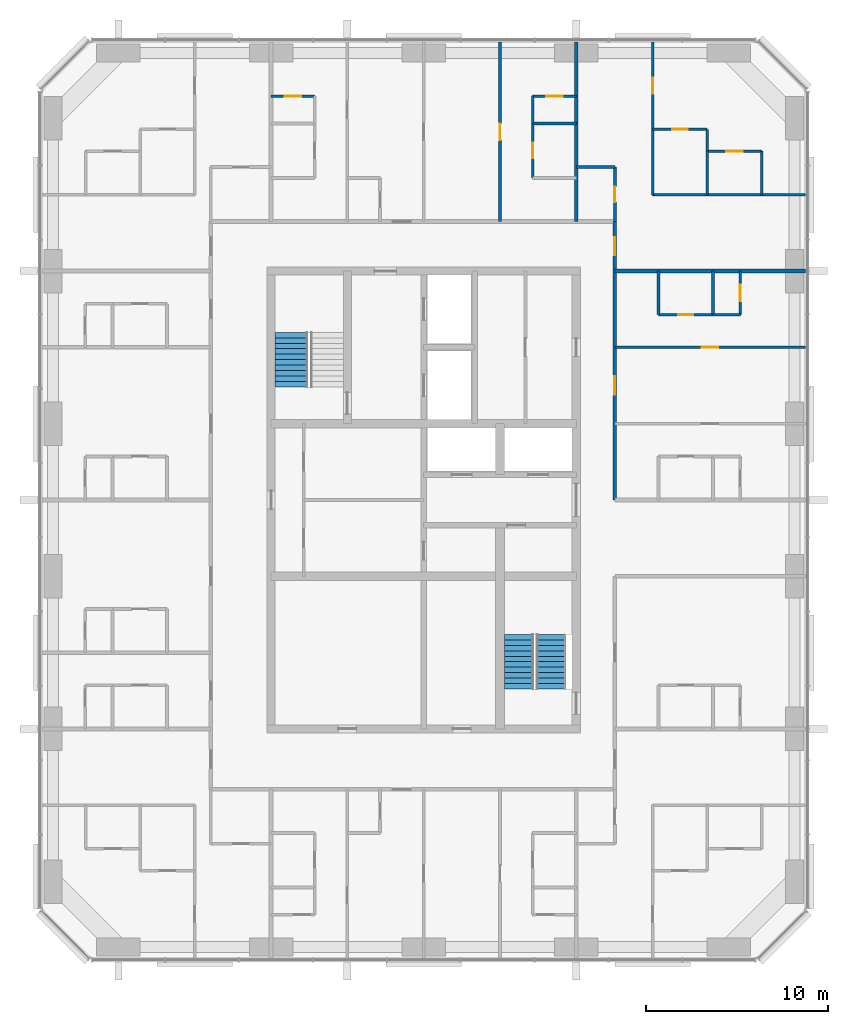
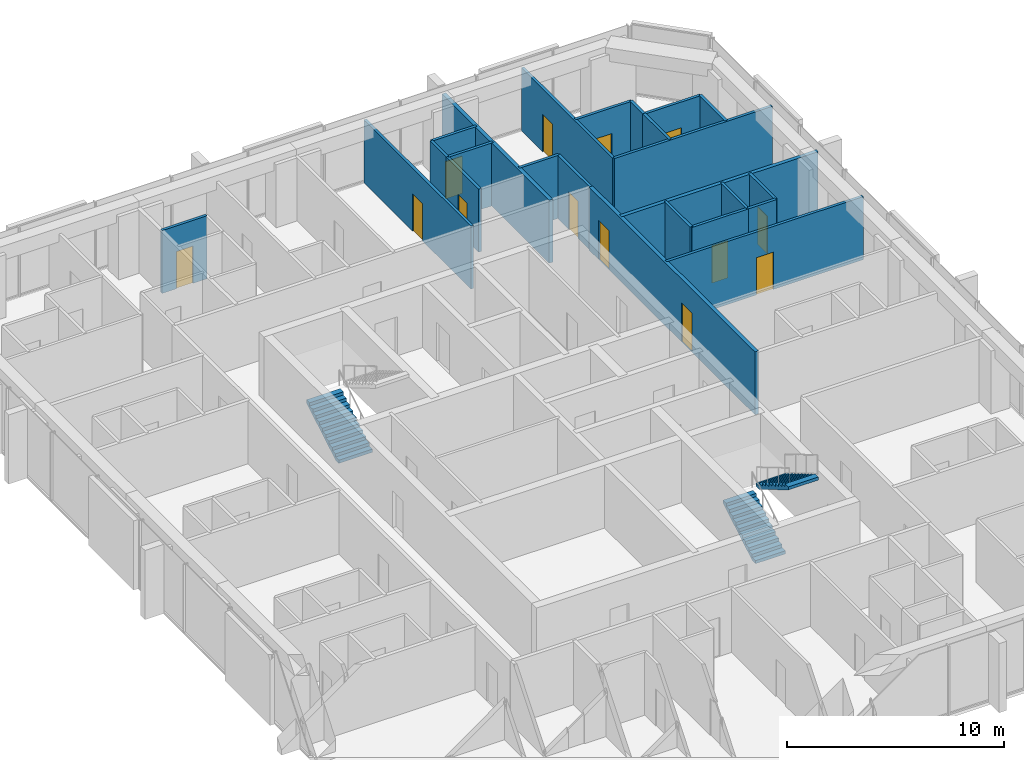
# One storey, part 11 of 13: 24 walls, 13 doors, 3 stair flights, 13 openings, 2 elements without a shape of their own.
"""IFC4 building model written with IfcOpenShell, lengths in metres."""

from ifc_helpers import new_model, si_unit, direction, frame, frame_2d, origin, place, context, subcontext, project, spatial, polyline, rectangle, outline, extrude, material, layer, layer_set, type_object, element, fill, aggregate, save


model = new_model("IFC4")

# Units and contexts
model_context = context("Model", 3, precision=1e-05, world=origin(), true_north=direction((0.0, 1.0)))
body_context = subcontext(model_context, "Body", "Model", "MODEL_VIEW")
ifc_project = project(units=[si_unit("LENGTHUNIT", "METRE"), si_unit("AREAUNIT", "SQUARE_METRE"), si_unit("VOLUMEUNIT", "CUBIC_METRE"), si_unit("PLANEANGLEUNIT", "RADIAN"), si_unit("MASSUNIT", "GRAM", prefix="KILO")], contexts=[model_context])

# Site, building, storey
site_placement = place(None, origin())
site = spatial("IfcSite", under=ifc_project, at=site_placement, CompositionType="ELEMENT")
building_placement = place(site_placement, origin())
building = spatial("IfcBuilding", under=site, at=building_placement, Name="Dunama Terrace Hotel", CompositionType="ELEMENT")
storey_placement = place(building_placement, frame((0.0, 0.0, 280.199951171875)))
storey = spatial("IfcBuildingStorey", under=building, at=storey_placement, Name="L72", CompositionType="ELEMENT", Elevation=280.199951171875)

# Wall, opening, door
ifc_material_1 = material(Name="Gypsum board partition", Category="masonry")
ifc_layer_1 = layer(ifc_material_1, 0.14990234375)
ifc_layer_set_1 = layer_set([ifc_layer_1], Name="Bathroom partition 150")
wall_type_1 = type_object("IfcWallType", Name="Bathroom partition 150", PredefinedType="PARTITIONING", material=ifc_layer_set_1)
wall_1_placement = place(storey_placement, frame((39.60009765625, 47.125, 0.0), z_axis=(0.0, 0.0, 1.0), x_axis=(0.0, 1.0, 0.0)))
wall_1 = element("IfcWall", 1, at=wall_1_placement, inside=storey, type_object=wall_type_1, Name="Bathroom partition 150 L72", PredefinedType="PARTITIONING", context=body_context, shape_type="SweptSolid", body=[
    extrude(rectangle(XDim=3.0, YDim=0.14990234375, at=frame_2d((1.5, 0.0))), origin(), (0.0, 0.0, 1.0), 3.550048828125),
])
opening_1_placement = place(wall_1_placement, frame((1.074951171875, 0.0, 0.0)))
opening_1 = element("IfcOpeningElement", 2, at=opening_1_placement, cuts=wall_1, Name="Opening L71-72-033", PredefinedType="OPENING", context=body_context, shape_type="SweptSolid", body=[
    extrude(rectangle(XDim=0.85009765625, YDim=2.10009765625, at=frame_2d((0.425048828125, 1.050048828125))), frame((0.0, 0.0849609375, 0.0), z_axis=(0.0, -1.0, 0.0), x_axis=(1.0, 0.0, 0.0)), (0.0, 0.0, 1.0), 0.169921875),
])
ifc_material_2 = material(Name="Timber door with steel frame", Category="steel")
door_type_1 = type_object("IfcDoorType", Name="Bathroom door 850", OperationType="SINGLE_SWING_LEFT", PredefinedType="DOOR", material=ifc_material_2)
door_1_placement = place(opening_1_placement, frame((0.85009765625, 0.0, 0.0), z_axis=(0.0, 0.0, 1.0), x_axis=(-1.0, 0.0, 0.0)))
door_1 = element("IfcDoor", 3, at=door_1_placement, inside=storey, type_object=door_type_1, Name="Door to en-suite bathroom L71-72-033, type D2", OperationType="SINGLE_SWING_LEFT", OverallHeight=2.10009765625, OverallWidth=0.85009765625, PredefinedType="DOOR", context=body_context, shape_type="SweptSolid", body=[
    extrude(rectangle(XDim=0.85009765625, YDim=2.10009765625, at=frame_2d((0.425048828125, 1.050048828125))), frame((0.0, 0.025146484375, 0.0), z_axis=(0.0, -1.0, 0.0), x_axis=(1.0, 0.0, 0.0)), (0.0, 0.0, 1.0), 0.050048828125),
])
fill(opening_1, door_1)

wall_2_placement = place(storey_placement, frame((44.125, 44.72509765625, 0.0), z_axis=(0.0, 0.0, 1.0), x_axis=(0.0, 1.0, 0.0)))
wall_2 = element("IfcWall", 4, at=wall_2_placement, inside=storey, type_object=wall_type_1, Name="Bathroom partition 150 L72", PredefinedType="PARTITIONING", context=body_context, shape_type="SweptSolid", body=[
    extrude(rectangle(XDim=3.0, YDim=0.14990234375, at=frame_2d((1.5, 0.0))), origin(), (0.0, 0.0, 1.0), 3.550048828125),
])
opening_2_placement = place(wall_2_placement, frame((1.074951171875, 0.0, 0.0)))
opening_2 = element("IfcOpeningElement", 5, at=opening_2_placement, cuts=wall_2, Name="Opening L71-72-058", PredefinedType="OPENING", context=body_context, shape_type="SweptSolid", body=[
    extrude(rectangle(XDim=0.85009765625, YDim=2.10009765625, at=frame_2d((0.425048828125, 1.050048828125))), frame((0.0, 0.0849609375, 0.0), z_axis=(0.0, -1.0, 0.0), x_axis=(1.0, 0.0, 0.0)), (0.0, 0.0, 1.0), 0.169921875),
])
door_2_placement = place(opening_2_placement, origin())
door_2 = element("IfcDoor", 6, at=door_2_placement, inside=storey, type_object=door_type_1, Name="Door to powder room L71-72-058, type D2", OperationType="SINGLE_SWING_LEFT", OverallHeight=2.10009765625, OverallWidth=0.85009765625, PredefinedType="DOOR", context=body_context, shape_type="SweptSolid", body=[
    extrude(rectangle(XDim=0.85009765625, YDim=2.10009765625, at=frame_2d((0.425048828125, 1.050048828125))), frame((0.0, 0.02490234375, 0.0), z_axis=(0.0, -1.0, 0.0), x_axis=(1.0, 0.0, 0.0)), (0.0, 0.0, 1.0), 0.050048828125),
])
fill(opening_2, door_2)

# Walls
wall_3_placement = place(storey_placement, frame((46.52490234375, 39.60009765625, 0.0), z_axis=(0.0, 0.0, 1.0), x_axis=(0.0, 1.0, 0.0)))
element("IfcWall", 7, at=wall_3_placement, inside=storey, type_object=wall_type_1, Name="Bathroom partition 150 L72", PredefinedType="PARTITIONING", context=body_context, shape_type="SweptSolid", body=[
    extrude(rectangle(XDim=2.39990234375, YDim=0.14990234375, at=frame_2d((1.199951171875, 0.0))), origin(), (0.0, 0.0, 1.0), 3.550048828125),
])
wall_4_placement = place(storey_placement, frame((49.199951171875, 48.60009765625, 0.0), z_axis=(0.0, 0.0, 1.0), x_axis=(0.0, 1.0, 0.0)))
element("IfcWall", 8, at=wall_4_placement, inside=storey, type_object=wall_type_1, Name="Bathroom partition 150 L72", PredefinedType="PARTITIONING", context=body_context, shape_type="SweptSolid", body=[
    extrude(rectangle(XDim=1.199951171875, YDim=0.14990234375, at=frame_2d((0.60009765625, 0.0))), origin(), (0.0, 0.0, 1.0), 3.550048828125),
])

# Wall, opening, door
wall_5_placement = place(storey_placement, frame((46.52490234375, 39.60009765625, 0.0), z_axis=(0.0, 0.0, 1.0), x_axis=(1.0, 0.0, 0.0)))
wall_5 = element("IfcWall", 9, at=wall_5_placement, inside=storey, type_object=wall_type_1, Name="Bathroom partition 150 L72", PredefinedType="PARTITIONING", context=body_context, shape_type="SweptSolid", body=[
    extrude(rectangle(XDim=3.0, YDim=0.14990234375, at=frame_2d((1.5, 0.0))), origin(), (0.0, 0.0, 1.0), 3.550048828125),
])
opening_3_placement = place(wall_5_placement, frame((1.074951171875, 0.0, 0.0)))
opening_3 = element("IfcOpeningElement", 10, at=opening_3_placement, cuts=wall_5, Name="Opening L71-72-024", PredefinedType="OPENING", context=body_context, shape_type="SweptSolid", body=[
    extrude(rectangle(XDim=0.85009765625, YDim=2.10009765625, at=frame_2d((0.425048828125, 1.050048828125))), frame((0.0, 0.0849609375, 0.0), z_axis=(0.0, -1.0, 0.0), x_axis=(1.0, 0.0, 0.0)), (0.0, 0.0, 1.0), 0.169921875),
])
door_3_placement = place(opening_3_placement, origin())
door_3 = element("IfcDoor", 11, at=door_3_placement, inside=storey, type_object=door_type_1, Name="Door to en-suite bathroom L71-72-024, type D2", OperationType="SINGLE_SWING_RIGHT", OverallHeight=2.10009765625, OverallWidth=0.85009765625, PredefinedType="DOOR", context=body_context, shape_type="SweptSolid", body=[
    extrude(rectangle(XDim=0.85009765625, YDim=2.10009765625, at=frame_2d((0.425048828125, 1.050048828125))), frame((0.0, 0.02490234375, 0.0), z_axis=(0.0, -1.0, 0.0), x_axis=(1.0, 0.0, 0.0)), (0.0, 0.0, 1.0), 0.050048828125),
])
fill(opening_3, door_3)

# Wall
wall_6_placement = place(storey_placement, frame((42.0, 47.72509765625, 0.0), z_axis=(0.0, 0.0, 1.0), x_axis=(1.0, 0.0, 0.0)))
element("IfcWall", 12, at=wall_6_placement, inside=storey, type_object=wall_type_1, Name="Bathroom partition 150 L72", PredefinedType="PARTITIONING", context=body_context, shape_type="SweptSolid", body=[
    extrude(rectangle(XDim=2.125, YDim=0.14990234375, at=frame_2d((1.0625, 0.0))), origin(), (0.0, 0.0, 1.0), 3.550048828125),
])

# Wall, opening, door
wall_7_placement = place(storey_placement, frame((46.199951171875, 49.800048828125, 0.0), z_axis=(0.0, 0.0, 1.0), x_axis=(1.0, 0.0, 0.0)))
wall_7 = element("IfcWall", 13, at=wall_7_placement, inside=storey, type_object=wall_type_1, Name="Bathroom partition 150 L72", PredefinedType="PARTITIONING", context=body_context, shape_type="SweptSolid", body=[
    extrude(rectangle(XDim=3.0, YDim=0.14990234375, at=frame_2d((1.5, 0.0))), origin(), (0.0, 0.0, 1.0), 3.550048828125),
])
opening_4_placement = place(wall_7_placement, frame((1.074951171875, 0.0, 0.0)))
opening_4 = element("IfcOpeningElement", 14, at=opening_4_placement, cuts=wall_7, Name="Opening L71-72-060", PredefinedType="OPENING", context=body_context, shape_type="SweptSolid", body=[
    extrude(rectangle(XDim=0.85009765625, YDim=2.10009765625, at=frame_2d((0.425048828125, 1.050048828125))), frame((0.0, 0.0849609375, 0.0), z_axis=(0.0, -1.0, 0.0), x_axis=(1.0, 0.0, 0.0)), (0.0, 0.0, 1.0), 0.169921875),
])
door_4_placement = place(opening_4_placement, frame((0.85009765625, 0.0, 0.0), z_axis=(0.0, 0.0, 1.0), x_axis=(-1.0, 0.0, 0.0)))
door_4 = element("IfcDoor", 15, at=door_4_placement, inside=storey, type_object=door_type_1, Name="Door to en-suite bathroom L71-72-060, type D2", OperationType="SINGLE_SWING_LEFT", OverallHeight=2.10009765625, OverallWidth=0.85009765625, PredefinedType="DOOR", context=body_context, shape_type="SweptSolid", body=[
    extrude(rectangle(XDim=0.85009765625, YDim=2.10009765625, at=frame_2d((0.425048828125, 1.050048828125))), frame((0.0, 0.025146484375, 0.0), z_axis=(0.0, -1.0, 0.0), x_axis=(1.0, 0.0, 0.0)), (0.0, 0.0, 1.0), 0.050048828125),
])
fill(opening_4, door_4)

# Wall, openings, doors
ifc_material_3 = material(Name="Concrete blockwork", Category="masonry")
ifc_layer_2 = layer(ifc_material_3, 0.199951171875)
ifc_layer_set_2 = layer_set([ifc_layer_2], Name="Corridor partition 200")
wall_type_2 = type_object("IfcWallType", Name="Corridor partition 200", PredefinedType="PARTITIONING", material=ifc_layer_set_2)
wall_8_placement = place(storey_placement, frame((44.125, 44.72509765625, 0.0), z_axis=(0.0, 0.0, 1.0), x_axis=(0.0, -1.0, 0.0)))
wall_8 = element("IfcWall", 16, at=wall_8_placement, inside=storey, type_object=wall_type_2, Name="Corridor partition 200 L72", PredefinedType="PARTITIONING", context=body_context, shape_type="SweptSolid", body=[
    extrude(rectangle(XDim=15.3251953125, YDim=0.199951171875, at=frame_2d((7.66259765625, 0.0))), origin(), (0.0, 0.0, 1.0), 3.550048828125),
])
opening_5_placement = place(wall_8_placement, frame((8.52490234375, 0.0, 0.0)))
opening_5 = element("IfcOpeningElement", 17, at=opening_5_placement, cuts=wall_8, Name="Opening L71-72-019", PredefinedType="OPENING", context=body_context, shape_type="SweptSolid", body=[
    extrude(rectangle(XDim=1.0, YDim=2.199951171875, at=frame_2d((0.5, 1.10009765625))), frame((0.0, 0.10986328125, 0.0), z_axis=(0.0, -1.0, 0.0), x_axis=(1.0, 0.0, 0.0)), (0.0, 0.0, 1.0), 0.219970703125),
])
opening_6_placement = place(wall_8_placement, frame((0.863037109375, 0.0, 0.0)))
opening_6 = element("IfcOpeningElement", 18, at=opening_6_placement, cuts=wall_8, Name="Opening L71-72-057", PredefinedType="OPENING", context=body_context, shape_type="SweptSolid", body=[
    extrude(rectangle(XDim=1.0, YDim=2.199951171875, at=frame_2d((0.5, 1.10009765625))), frame((0.0, 0.10986328125, 0.0), z_axis=(0.0, -1.0, 0.0), x_axis=(1.0, 0.0, 0.0)), (0.0, 0.0, 1.0), 0.219970703125),
])
ifc_material_4 = material(Name="Timber door with steel frame", Category="steel")
door_type_2 = type_object("IfcDoorType", Name="Guest room door 1000", OperationType="SINGLE_SWING_LEFT", PredefinedType="DOOR", material=ifc_material_4)
door_5_placement = place(opening_5_placement, origin())
door_5 = element("IfcDoor", 19, at=door_5_placement, inside=storey, type_object=door_type_2, Name="Door to two-bedroom suite living room L71-72-019, type D1", OperationType="SINGLE_SWING_LEFT", OverallHeight=2.199951171875, OverallWidth=1.0, PredefinedType="DOOR", context=body_context, shape_type="SweptSolid", body=[
    extrude(rectangle(XDim=1.0, YDim=2.199951171875, at=frame_2d((0.5, 1.10009765625))), frame((0.0, 0.02490234375, 0.0), z_axis=(0.0, -1.0, 0.0), x_axis=(1.0, 0.0, 0.0)), (0.0, 0.0, 1.0), 0.050048828125),
])
fill(opening_5, door_5)
door_6_placement = place(opening_6_placement, origin())
door_6 = element("IfcDoor", 20, at=door_6_placement, inside=storey, type_object=door_type_2, Name="Door to grand corner suite living room L71-72-057, type D1", OperationType="SINGLE_SWING_RIGHT", OverallHeight=2.199951171875, OverallWidth=1.0, PredefinedType="DOOR", context=body_context, shape_type="SweptSolid", body=[
    extrude(rectangle(XDim=1.0, YDim=2.199951171875, at=frame_2d((0.5, 1.10009765625))), frame((0.0, 0.02490234375, 0.0), z_axis=(0.0, -1.0, 0.0), x_axis=(1.0, 0.0, 0.0)), (0.0, 0.0, 1.0), 0.050048828125),
])
fill(opening_6, door_6)

# Walls
ifc_material_5 = material(Name="Concrete blockwork", Category="masonry")
ifc_layer_3 = layer(ifc_material_5, 0.199951171875)
ifc_layer_set_3 = layer_set([ifc_layer_3], Name="Party wall 200")
wall_type_3 = type_object("IfcWallType", Name="Party wall 200", PredefinedType="PARTITIONING", material=ifc_layer_set_3)
wall_9_placement = place(storey_placement, frame((42.0, 44.72509765625, 0.0), z_axis=(0.0, 0.0, 1.0), x_axis=(0.0, 1.0, 0.0)))
element("IfcWall", 21, at=wall_9_placement, inside=storey, type_object=wall_type_3, Name="Party wall 200 L72", PredefinedType="PARTITIONING", context=body_context, shape_type="SweptSolid", body=[
    extrude(rectangle(XDim=9.892822265625, YDim=0.199951171875, at=frame_2d((4.9462890625, 0.0))), origin(), (0.0, 0.0, 1.0), 3.550048828125),
])
wall_10_placement = place(storey_placement, frame((44.125, 42.0, 0.0), z_axis=(0.0, 0.0, 1.0), x_axis=(1.0, 0.0, 0.0)))
element("IfcWall", 22, at=wall_10_placement, inside=storey, type_object=wall_type_3, Name="Party wall 200 L72", PredefinedType="PARTITIONING", context=body_context, shape_type="SweptSolid", body=[
    extrude(rectangle(XDim=10.492919921875, YDim=0.199951171875, at=frame_2d((5.24658203125, 0.0))), origin(), (0.0, 0.0, 1.0), 3.550048828125),
])

# Wall, opening, door
ifc_material_6 = material(Name="Gypsum board partition", Category="masonry")
ifc_layer_4 = layer(ifc_material_6, 0.14990234375)
ifc_layer_set_4 = layer_set([ifc_layer_4], Name="Room partition 150")
wall_type_4 = type_object("IfcWallType", Name="Room partition 150", PredefinedType="PARTITIONING", material=ifc_layer_set_4)
wall_11_placement = place(storey_placement, frame((37.800048828125, 44.72509765625, 0.0), z_axis=(0.0, 0.0, 1.0), x_axis=(0.0, 1.0, 0.0)))
wall_11 = element("IfcWall", 23, at=wall_11_placement, inside=storey, type_object=wall_type_4, Name="Room partition 150 L72", PredefinedType="PARTITIONING", context=body_context, shape_type="SweptSolid", body=[
    extrude(rectangle(XDim=9.892822265625, YDim=0.14990234375, at=frame_2d((4.9462890625, 0.0))), origin(), (0.0, 0.0, 1.0), 3.550048828125),
])
opening_7_placement = place(wall_11_placement, frame((4.487060546875, 0.0, 0.0)))
opening_7 = element("IfcOpeningElement", 24, at=opening_7_placement, cuts=wall_11, Name="Opening L71-72-032", PredefinedType="OPENING", context=body_context, shape_type="SweptSolid", body=[
    extrude(rectangle(XDim=0.89990234375, YDim=2.10009765625, at=frame_2d((0.449951171875, 1.050048828125))), frame((0.0, 0.0849609375, 0.0), z_axis=(0.0, -1.0, 0.0), x_axis=(1.0, 0.0, 0.0)), (0.0, 0.0, 1.0), 0.169921875),
])
ifc_material_7 = material(Name="Timber door with steel frame", Category="steel")
door_type_3 = type_object("IfcDoorType", Name="Suite internal door 900", OperationType="SINGLE_SWING_LEFT", PredefinedType="DOOR", material=ifc_material_7)
door_7_placement = place(opening_7_placement, frame((0.89990234375, 0.0, 0.0), z_axis=(0.0, 0.0, 1.0), x_axis=(-1.0, 0.0, 0.0)))
door_7 = element("IfcDoor", 25, at=door_7_placement, inside=storey, type_object=door_type_3, Name="Door to grand suite second bedroom L71-72-032, type D16", OperationType="SINGLE_SWING_RIGHT", OverallHeight=2.10009765625, OverallWidth=0.89990234375, PredefinedType="DOOR", context=body_context, shape_type="SweptSolid", body=[
    extrude(rectangle(XDim=0.89990234375, YDim=2.10009765625, at=frame_2d((0.449951171875, 1.050048828125))), frame((0.0, 0.025146484375, 0.0), z_axis=(0.0, -1.0, 0.0), x_axis=(1.0, 0.0, 0.0)), (0.0, 0.0, 1.0), 0.050048828125),
])
fill(opening_7, door_7)

# Wall
wall_12_placement = place(storey_placement, frame((39.60009765625, 50.125, 0.0), z_axis=(0.0, 0.0, 1.0), x_axis=(0.0, 1.0, 0.0)))
element("IfcWall", 26, at=wall_12_placement, inside=storey, type_object=wall_type_4, Name="Room partition 150 L72", PredefinedType="PARTITIONING", context=body_context, shape_type="SweptSolid", body=[
    extrude(rectangle(XDim=1.5, YDim=0.14990234375, at=frame_2d((0.75, 0.0))), origin(), (0.0, 0.0, 1.0), 3.550048828125),
])

# Wall, opening, door
wall_13_placement = place(storey_placement, frame((46.199951171875, 46.199951171875, 0.0), z_axis=(0.0, 0.0, 1.0), x_axis=(0.0, 1.0, 0.0)))
wall_13 = element("IfcWall", 27, at=wall_13_placement, inside=storey, type_object=wall_type_4, Name="Room partition 150 L72", PredefinedType="PARTITIONING", context=body_context, shape_type="SweptSolid", body=[
    extrude(rectangle(XDim=8.41796875, YDim=0.14990234375, at=frame_2d((4.208984375, 0.0))), origin(), (0.0, 0.0, 1.0), 3.550048828125),
])
opening_8_placement = place(wall_13_placement, frame((5.550048828125, 0.0, 0.0)))
opening_8 = element("IfcOpeningElement", 28, at=opening_8_placement, cuts=wall_13, Name="Opening L71-72-059", PredefinedType="OPENING", context=body_context, shape_type="SweptSolid", body=[
    extrude(rectangle(XDim=0.89990234375, YDim=2.10009765625, at=frame_2d((0.449951171875, 1.050048828125))), frame((0.0, 0.0849609375, 0.0), z_axis=(0.0, -1.0, 0.0), x_axis=(1.0, 0.0, 0.0)), (0.0, 0.0, 1.0), 0.169921875),
])
door_8_placement = place(opening_8_placement, frame((0.89990234375, 0.0, 0.0), z_axis=(0.0, 0.0, 1.0), x_axis=(-1.0, 0.0, 0.0)))
door_8 = element("IfcDoor", 29, at=door_8_placement, inside=storey, type_object=door_type_3, Name="Door to grand corner suite bedroom L71-72-059, type D16", OperationType="SINGLE_SWING_RIGHT", OverallHeight=2.10009765625, OverallWidth=0.89990234375, PredefinedType="DOOR", context=body_context, shape_type="SweptSolid", body=[
    extrude(rectangle(XDim=0.89990234375, YDim=2.10009765625, at=frame_2d((0.449951171875, 1.050048828125))), frame((0.0, 0.025146484375, 0.0), z_axis=(0.0, -1.0, 0.0), x_axis=(1.0, 0.0, 0.0)), (0.0, 0.0, 1.0), 0.050048828125),
])
fill(opening_8, door_8)

# Walls
wall_14_placement = place(storey_placement, frame((49.199951171875, 46.199951171875, 0.0), z_axis=(0.0, 0.0, 1.0), x_axis=(0.0, 1.0, 0.0)))
element("IfcWall", 30, at=wall_14_placement, inside=storey, type_object=wall_type_4, Name="Room partition 150 L72", PredefinedType="PARTITIONING", context=body_context, shape_type="SweptSolid", body=[
    extrude(rectangle(XDim=2.400146484375, YDim=0.14990234375, at=frame_2d((1.2001953125, 0.0))), origin(), (0.0, 0.0, 1.0), 3.550048828125),
])
wall_15_placement = place(storey_placement, frame((49.52490234375, 39.60009765625, 0.0), z_axis=(0.0, 0.0, 1.0), x_axis=(0.0, 1.0, 0.0)))
element("IfcWall", 31, at=wall_15_placement, inside=storey, type_object=wall_type_4, Name="Room partition 150 L72", PredefinedType="PARTITIONING", context=body_context, shape_type="SweptSolid", body=[
    extrude(rectangle(XDim=2.39990234375, YDim=0.14990234375, at=frame_2d((1.199951171875, 0.0))), origin(), (0.0, 0.0, 1.0), 3.550048828125),
])

# Wall, opening, door
wall_16_placement = place(storey_placement, frame((51.02490234375, 39.60009765625, 0.0), z_axis=(0.0, 0.0, 1.0), x_axis=(0.0, 1.0, 0.0)))
wall_16 = element("IfcWall", 32, at=wall_16_placement, inside=storey, type_object=wall_type_4, Name="Room partition 150 L72", PredefinedType="PARTITIONING", context=body_context, shape_type="SweptSolid", body=[
    extrude(rectangle(XDim=2.39990234375, YDim=0.14990234375, at=frame_2d((1.199951171875, 0.0))), origin(), (0.0, 0.0, 1.0), 3.550048828125),
])
opening_9_placement = place(wall_16_placement, frame((0.75, 0.0, 0.0)))
opening_9 = element("IfcOpeningElement", 33, at=opening_9_placement, cuts=wall_16, Name="Opening L71-72-025", PredefinedType="OPENING", context=body_context, shape_type="SweptSolid", body=[
    extrude(rectangle(XDim=0.89990234375, YDim=2.10009765625, at=frame_2d((0.449951171875, 1.050048828125))), frame((0.0, 0.0849609375, 0.0), z_axis=(0.0, -1.0, 0.0), x_axis=(1.0, 0.0, 0.0)), (0.0, 0.0, 1.0), 0.169921875),
])
door_9_placement = place(opening_9_placement, origin())
door_9 = element("IfcDoor", 34, at=door_9_placement, inside=storey, type_object=door_type_3, Name="Door to walk-in wardrobe L71-72-025, type D16", OperationType="SINGLE_SWING_LEFT", OverallHeight=2.10009765625, OverallWidth=0.89990234375, PredefinedType="DOOR", context=body_context, shape_type="SweptSolid", body=[
    extrude(rectangle(XDim=0.89990234375, YDim=2.10009765625, at=frame_2d((0.449951171875, 1.050048828125))), frame((0.0, 0.02490234375, 0.0), z_axis=(0.0, -1.0, 0.0), x_axis=(1.0, 0.0, 0.0)), (0.0, 0.0, 1.0), 0.050048828125),
])
fill(opening_9, door_9)

# Wall
wall_17_placement = place(storey_placement, frame((52.199951171875, 46.199951171875, 0.0), z_axis=(0.0, 0.0, 1.0), x_axis=(0.0, 1.0, 0.0)))
element("IfcWall", 35, at=wall_17_placement, inside=storey, type_object=wall_type_4, Name="Room partition 150 L72", PredefinedType="PARTITIONING", context=body_context, shape_type="SweptSolid", body=[
    extrude(rectangle(XDim=2.400146484375, YDim=0.14990234375, at=frame_2d((1.2001953125, 0.0))), origin(), (0.0, 0.0, 1.0), 3.550048828125),
])

# Wall, opening, door
wall_18_placement = place(storey_placement, frame((44.125, 37.800048828125, 0.0), z_axis=(0.0, 0.0, 1.0), x_axis=(1.0, 0.0, 0.0)))
wall_18 = element("IfcWall", 36, at=wall_18_placement, inside=storey, type_object=wall_type_4, Name="Room partition 150 L72", PredefinedType="PARTITIONING", context=body_context, shape_type="SweptSolid", body=[
    extrude(rectangle(XDim=10.492919921875, YDim=0.14990234375, at=frame_2d((5.24658203125, 0.0))), origin(), (0.0, 0.0, 1.0), 3.550048828125),
])
opening_10_placement = place(wall_18_placement, frame((4.787109375, 0.0, 0.0)))
opening_10 = element("IfcOpeningElement", 37, at=opening_10_placement, cuts=wall_18, Name="Opening L71-72-023", PredefinedType="OPENING", context=body_context, shape_type="SweptSolid", body=[
    extrude(rectangle(XDim=0.89990234375, YDim=2.10009765625, at=frame_2d((0.449951171875, 1.050048828125))), frame((0.0, 0.0849609375, 0.0), z_axis=(0.0, -1.0, 0.0), x_axis=(1.0, 0.0, 0.0)), (0.0, 0.0, 1.0), 0.169921875),
])
door_10_placement = place(opening_10_placement, origin())
door_10 = element("IfcDoor", 38, at=door_10_placement, inside=storey, type_object=door_type_3, Name="Door to two-bedroom suite second bedroom L71-72-023, type D16", OperationType="SINGLE_SWING_LEFT", OverallHeight=2.10009765625, OverallWidth=0.89990234375, PredefinedType="DOOR", context=body_context, shape_type="SweptSolid", body=[
    extrude(rectangle(XDim=0.89990234375, YDim=2.10009765625, at=frame_2d((0.449951171875, 1.050048828125))), frame((0.0, 0.02490234375, 0.0), z_axis=(0.0, -1.0, 0.0), x_axis=(1.0, 0.0, 0.0)), (0.0, 0.0, 1.0), 0.050048828125),
])
fill(opening_10, door_10)

# Walls
wall_19_placement = place(storey_placement, frame((49.52490234375, 39.60009765625, 0.0), z_axis=(0.0, 0.0, 1.0), x_axis=(1.0, 0.0, 0.0)))
element("IfcWall", 39, at=wall_19_placement, inside=storey, type_object=wall_type_4, Name="Room partition 150 L72", PredefinedType="PARTITIONING", context=body_context, shape_type="SweptSolid", body=[
    extrude(rectangle(XDim=1.5, YDim=0.14990234375, at=frame_2d((0.75, 0.0))), origin(), (0.0, 0.0, 1.0), 3.550048828125),
])
wall_20_placement = place(storey_placement, frame((46.199951171875, 46.199951171875, 0.0), z_axis=(0.0, 0.0, 1.0), x_axis=(1.0, 0.0, 0.0)))
element("IfcWall", 40, at=wall_20_placement, inside=storey, type_object=wall_type_4, Name="Room partition 150 L72", PredefinedType="PARTITIONING", context=body_context, shape_type="SweptSolid", body=[
    extrude(rectangle(XDim=8.41796875, YDim=0.14990234375, at=frame_2d((4.208984375, 0.0))), origin(), (0.0, 0.0, 1.0), 3.550048828125),
])

# Wall, opening, door
wall_21_placement = place(storey_placement, frame((49.199951171875, 48.60009765625, 0.0), z_axis=(0.0, 0.0, 1.0), x_axis=(1.0, 0.0, 0.0)))
wall_21 = element("IfcWall", 41, at=wall_21_placement, inside=storey, type_object=wall_type_4, Name="Room partition 150 L72", PredefinedType="PARTITIONING", context=body_context, shape_type="SweptSolid", body=[
    extrude(rectangle(XDim=3.0, YDim=0.14990234375, at=frame_2d((1.5, 0.0))), origin(), (0.0, 0.0, 1.0), 3.550048828125),
])
opening_11_placement = place(wall_21_placement, frame((1.050048828125, 0.0, 0.0)))
opening_11 = element("IfcOpeningElement", 42, at=opening_11_placement, cuts=wall_21, Name="Opening L71-72-061", PredefinedType="OPENING", context=body_context, shape_type="SweptSolid", body=[
    extrude(rectangle(XDim=0.89990234375, YDim=2.10009765625, at=frame_2d((0.449951171875, 1.050048828125))), frame((0.0, 0.0849609375, 0.0), z_axis=(0.0, -1.0, 0.0), x_axis=(1.0, 0.0, 0.0)), (0.0, 0.0, 1.0), 0.169921875),
])
door_11_placement = place(opening_11_placement, frame((0.89990234375, 0.0, 0.0), z_axis=(0.0, 0.0, 1.0), x_axis=(-1.0, 0.0, 0.0)))
door_11 = element("IfcDoor", 43, at=door_11_placement, inside=storey, type_object=door_type_3, Name="Door to dressing room L71-72-061, type D16", OperationType="SINGLE_SWING_RIGHT", OverallHeight=2.10009765625, OverallWidth=0.89990234375, PredefinedType="DOOR", context=body_context, shape_type="SweptSolid", body=[
    extrude(rectangle(XDim=0.89990234375, YDim=2.10009765625, at=frame_2d((0.449951171875, 1.050048828125))), frame((0.0, 0.025146484375, 0.0), z_axis=(0.0, -1.0, 0.0), x_axis=(1.0, 0.0, 0.0)), (0.0, 0.0, 1.0), 0.050048828125),
])
fill(opening_11, door_11)

# Wall
wall_22_placement = place(storey_placement, frame((39.60009765625, 50.125, 0.0), z_axis=(0.0, 0.0, 1.0), x_axis=(1.0, 0.0, 0.0)))
element("IfcWall", 44, at=wall_22_placement, inside=storey, type_object=wall_type_4, Name="Room partition 150 L72", PredefinedType="PARTITIONING", context=body_context, shape_type="SweptSolid", body=[
    extrude(rectangle(XDim=2.39990234375, YDim=0.14990234375, at=frame_2d((1.199951171875, 0.0))), origin(), (0.0, 0.0, 1.0), 3.550048828125),
])

# Wall, opening, door
wall_23_placement = place(storey_placement, frame((25.199951171875, 51.625, 0.0), z_axis=(0.0, 0.0, 1.0), x_axis=(1.0, 0.0, 0.0)))
wall_23 = element("IfcWall", 45, at=wall_23_placement, inside=storey, type_object=wall_type_4, Name="Room partition 150 L72", PredefinedType="PARTITIONING", context=body_context, shape_type="SweptSolid", body=[
    extrude(rectangle(XDim=2.400146484375, YDim=0.14990234375, at=frame_2d((1.2001953125, 0.0))), origin(), (0.0, 0.0, 1.0), 3.550048828125),
])
opening_12_placement = place(wall_23_placement, frame((0.75, 0.0, 0.0)))
opening_12 = element("IfcOpeningElement", 46, at=opening_12_placement, cuts=wall_23, Name="Opening L71-72-030", PredefinedType="OPENING", context=body_context, shape_type="SweptSolid", body=[
    extrude(rectangle(XDim=0.89990234375, YDim=2.10009765625, at=frame_2d((0.449951171875, 1.050048828125))), frame((0.0, 0.0849609375, 0.0), z_axis=(0.0, -1.0, 0.0), x_axis=(1.0, 0.0, 0.0)), (0.0, 0.0, 1.0), 0.169921875),
])
door_12_placement = place(opening_12_placement, frame((0.89990234375, 0.0, 0.0), z_axis=(0.0, 0.0, 1.0), x_axis=(-1.0, 0.0, 0.0)))
door_12 = element("IfcDoor", 47, at=door_12_placement, inside=storey, type_object=door_type_3, Name="Door to walk-in wardrobe L71-72-030, type D16", OperationType="SINGLE_SWING_RIGHT", OverallHeight=2.10009765625, OverallWidth=0.89990234375, PredefinedType="DOOR", context=body_context, shape_type="SweptSolid", body=[
    extrude(rectangle(XDim=0.89990234375, YDim=2.10009765625, at=frame_2d((0.449951171875, 1.050048828125))), frame((0.0, 0.025146484375, 0.0), z_axis=(0.0, -1.0, 0.0), x_axis=(1.0, 0.0, 0.0)), (0.0, 0.0, 1.0), 0.050048828125),
])
fill(opening_12, door_12)

wall_24_placement = place(storey_placement, frame((39.60009765625, 51.625, 0.0), z_axis=(0.0, 0.0, 1.0), x_axis=(1.0, 0.0, 0.0)))
wall_24 = element("IfcWall", 48, at=wall_24_placement, inside=storey, type_object=wall_type_4, Name="Room partition 150 L72", PredefinedType="PARTITIONING", context=body_context, shape_type="SweptSolid", body=[
    extrude(rectangle(XDim=2.39990234375, YDim=0.14990234375, at=frame_2d((1.199951171875, 0.0))), origin(), (0.0, 0.0, 1.0), 3.550048828125),
])
opening_13_placement = place(wall_24_placement, frame((0.75, 0.0, 0.0)))
opening_13 = element("IfcOpeningElement", 49, at=opening_13_placement, cuts=wall_24, Name="Opening L71-72-034", PredefinedType="OPENING", context=body_context, shape_type="SweptSolid", body=[
    extrude(rectangle(XDim=0.89990234375, YDim=2.10009765625, at=frame_2d((0.449951171875, 1.050048828125))), frame((0.0, 0.0849609375, 0.0), z_axis=(0.0, -1.0, 0.0), x_axis=(1.0, 0.0, 0.0)), (0.0, 0.0, 1.0), 0.169921875),
])
door_13_placement = place(opening_13_placement, frame((0.89990234375, 0.0, 0.0), z_axis=(0.0, 0.0, 1.0), x_axis=(-1.0, 0.0, 0.0)))
door_13 = element("IfcDoor", 50, at=door_13_placement, inside=storey, type_object=door_type_3, Name="Door to walk-in wardrobe L71-72-034, type D16", OperationType="SINGLE_SWING_RIGHT", OverallHeight=2.10009765625, OverallWidth=0.89990234375, PredefinedType="DOOR", context=body_context, shape_type="SweptSolid", body=[
    extrude(rectangle(XDim=0.89990234375, YDim=2.10009765625, at=frame_2d((0.449951171875, 1.050048828125))), frame((0.0, 0.025146484375, 0.0), z_axis=(0.0, -1.0, 0.0), x_axis=(1.0, 0.0, 0.0)), (0.0, 0.0, 1.0), 0.050048828125),
])
fill(opening_13, door_13)

# Stair, stair flight
ifc_material_8 = material(Name="Concrete C40/50", Category="concrete")
stair_type_1 = type_object("IfcStairType", Name="Stair ST1-3900-1800", PredefinedType="HALF_TURN_STAIR", material=ifc_material_8)
stair_1_placement = place(storey_placement, origin())
stair_1 = element("IfcStair", 51, at=stair_1_placement, inside=storey, type_object=stair_type_1, Name="Stair ST1 L72", PredefinedType="HALF_TURN_STAIR")
ifc_material_9 = material(Name="Concrete C40/50", Category="concrete")
stair_flight_type_1 = type_object("IfcStairFlightType", Name="Stair flight ST1-3900-1800", PredefinedType="STRAIGHT", material=ifc_material_9)
stair_flight_1_placement = place(storey_placement, frame((26.324951171875, 35.625, 0.0), z_axis=(0.0, 0.0, 1.0), x_axis=(0.0, 1.0, 0.0)))
stair_flight_1 = element("IfcStairFlight", 52, at=stair_flight_1_placement, type_object=stair_flight_type_1, Name="ST1 flight 1", NumberOfRisers=11, NumberOfTreads=10, PredefinedType="STRAIGHT", RiserHeight=0.177272727, TreadLength=0.3, context=body_context, shape_type="SweptSolid", body=[
    extrude(outline(polyline([(0.0, 0.0), (0.0, 0.17724609375), (0.300048828125, 0.17724609375), (0.300048828125, 0.3544921875), (0.60009765625, 0.3544921875), (0.60009765625, 0.53173828125), (0.89990234375, 0.53173828125), (0.89990234375, 0.708984375), (1.199951171875, 0.708984375), (1.199951171875, 0.886474609375), (1.5, 0.886474609375), (1.5, 1.063720703125), (1.800048828125, 1.063720703125), (1.800048828125, 1.240966796875), (2.10009765625, 1.240966796875), (2.10009765625, 1.418212890625), (2.39990234375, 1.418212890625), (2.39990234375, 1.595458984375), (2.699951171875, 1.595458984375), (2.699951171875, 1.772705078125), (3.0, 1.772705078125), (3.0, 1.949951171875), (3.0, 1.5986328125), (0.294677734375, 0.0), (0.0, 0.0)])), frame((0.0, 0.89990234375, 0.0), z_axis=(0.0, -1.0, 0.0), x_axis=(1.0, 0.0, 0.0)), (0.0, 0.0, 1.0), 1.800048828125),
])
aggregate(stair_1, [stair_flight_1])

# Stair, stair flights
ifc_material_10 = material(Name="Concrete C40/50", Category="concrete")
stair_type_2 = type_object("IfcStairType", Name="Stair ST2-3900-1600", PredefinedType="HALF_TURN_STAIR", material=ifc_material_10)
stair_2_placement = place(storey_placement, origin())
stair_2 = element("IfcStair", 53, at=stair_2_placement, inside=storey, type_object=stair_type_2, Name="Stair ST2 L72", PredefinedType="HALF_TURN_STAIR")
ifc_material_11 = material(Name="Concrete C40/50", Category="concrete")
stair_flight_type_2 = type_object("IfcStairFlightType", Name="Stair flight ST2-3900-1600", PredefinedType="STRAIGHT", material=ifc_material_11)
stair_flight_2_placement = place(storey_placement, frame((38.85009765625, 19.0, 0.0), z_axis=(0.0, 0.0, 1.0), x_axis=(0.0, 1.0, 0.0)))
stair_flight_2 = element("IfcStairFlight", 54, at=stair_flight_2_placement, type_object=stair_flight_type_2, Name="ST2 flight 1", NumberOfRisers=11, NumberOfTreads=10, PredefinedType="STRAIGHT", RiserHeight=0.177272727, TreadLength=0.3, context=body_context, shape_type="SweptSolid", body=[
    extrude(outline(polyline([(0.0, 0.0), (0.0, 0.17724609375), (0.300048828125, 0.17724609375), (0.300048828125, 0.3544921875), (0.60009765625, 0.3544921875), (0.60009765625, 0.53173828125), (0.89990234375, 0.53173828125), (0.89990234375, 0.708984375), (1.199951171875, 0.708984375), (1.199951171875, 0.886474609375), (1.5, 0.886474609375), (1.5, 1.063720703125), (1.800048828125, 1.063720703125), (1.800048828125, 1.240966796875), (2.10009765625, 1.240966796875), (2.10009765625, 1.418212890625), (2.39990234375, 1.418212890625), (2.39990234375, 1.595458984375), (2.699951171875, 1.595458984375), (2.699951171875, 1.772705078125), (3.0, 1.772705078125), (3.0, 1.949951171875), (3.0, 1.5986328125), (0.294677734375, 0.0), (0.0, 0.0)])), frame((0.0, 0.800048828125, 0.0), z_axis=(0.0, -1.0, 0.0), x_axis=(1.0, 0.0, 0.0)), (0.0, 0.0, 1.0), 1.60009765625),
])
stair_flight_3_placement = place(storey_placement, frame((40.60009765625, 22.0, 1.949951171875), z_axis=(0.0, 0.0, 1.0), x_axis=(0.0, -1.0, 0.0)))
stair_flight_3 = element("IfcStairFlight", 55, at=stair_flight_3_placement, type_object=stair_flight_type_2, Name="ST2 flight 2", NumberOfRisers=11, NumberOfTreads=10, PredefinedType="STRAIGHT", RiserHeight=0.177272727, TreadLength=0.3, context=body_context, shape_type="SweptSolid", body=[
    extrude(outline(polyline([(0.0, 0.0), (0.0, 0.17724609375), (0.300048828125, 0.17724609375), (0.300048828125, 0.3544921875), (0.60009765625, 0.3544921875), (0.60009765625, 0.53173828125), (0.89990234375, 0.53173828125), (0.89990234375, 0.708984375), (1.199951171875, 0.708984375), (1.199951171875, 0.886474609375), (1.5, 0.886474609375), (1.5, 1.063720703125), (1.800048828125, 1.063720703125), (1.800048828125, 1.240966796875), (2.10009765625, 1.240966796875), (2.10009765625, 1.418212890625), (2.39990234375, 1.418212890625), (2.39990234375, 1.595458984375), (2.699951171875, 1.595458984375), (2.699951171875, 1.772705078125), (3.0, 1.772705078125), (3.0, 1.949951171875), (3.0, 1.5986328125), (0.294677734375, 0.0), (0.0, 0.0)])), frame((0.0, 0.800048828125, 0.0), z_axis=(0.0, -1.0, 0.0), x_axis=(1.0, 0.0, 0.0)), (0.0, 0.0, 1.0), 1.60009765625),
])
aggregate(stair_2, [stair_flight_2, stair_flight_3])

save(model, "model.ifc")
